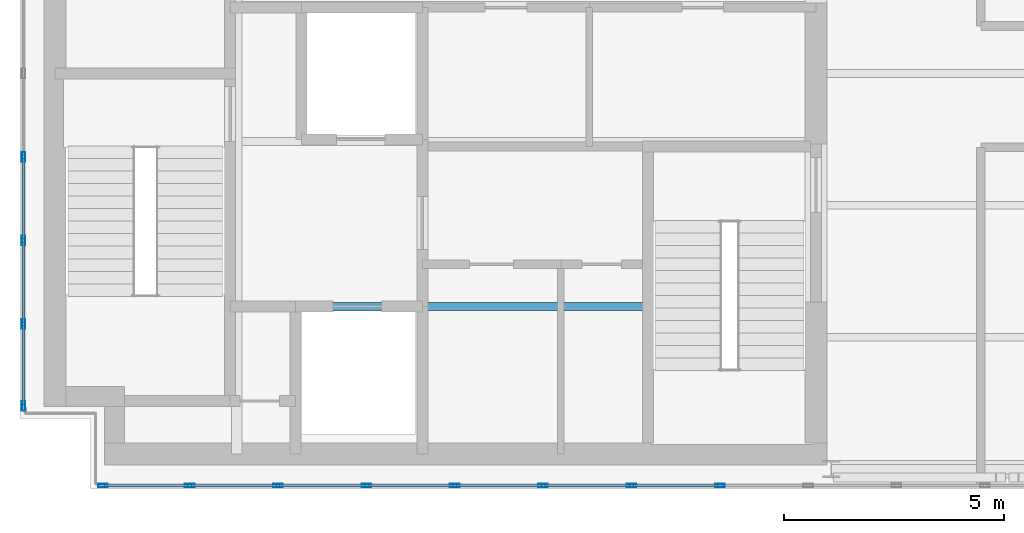
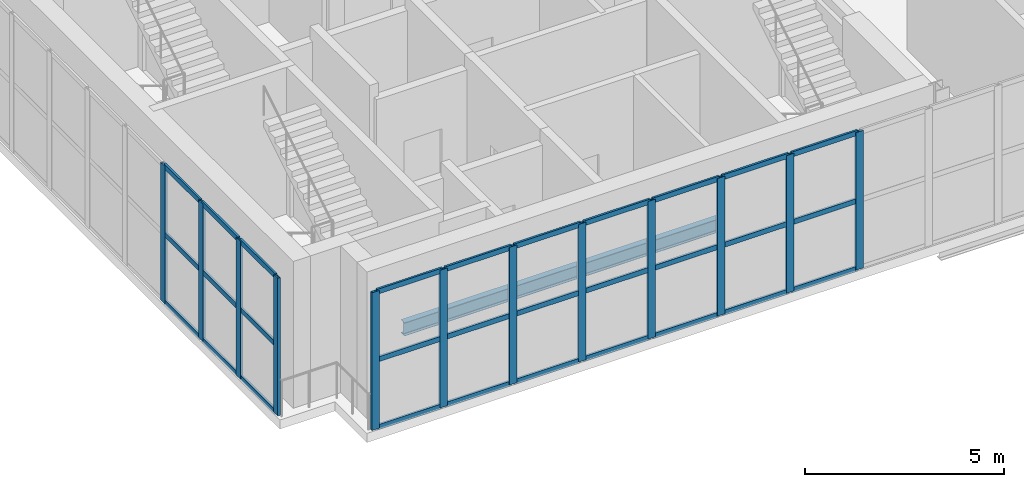
# One storey, part 2 of 21: 42 members, 1 beam, 2 elements without a shape of their own.
"""IFC4 building model written with IfcOpenShell, lengths in metres."""

from ifc_helpers import new_model, si_unit, direction, frame, origin, origin_2d, place, context, subcontext, project, spatial, hollow_rectangle, i_section, extrude, material, layer, layer_set, material_profile, profile_set, type_object, element, aggregate, save


model = new_model("IFC4")

# Units and contexts
model_context = context("Model", 3, precision=1e-05, world=origin(), true_north=direction((0.0, 1.0)))
body_context = subcontext(model_context, "Body", "Model", "MODEL_VIEW")
ifc_project = project(units=[si_unit("LENGTHUNIT", "METRE"), si_unit("AREAUNIT", "SQUARE_METRE"), si_unit("VOLUMEUNIT", "CUBIC_METRE"), si_unit("PLANEANGLEUNIT", "RADIAN"), si_unit("MASSUNIT", "GRAM", prefix="KILO")], contexts=[model_context])

# Site, building, storey
site_placement = place(None, origin())
site = spatial("IfcSite", under=ifc_project, at=site_placement, CompositionType="ELEMENT")
building_placement = place(site_placement, origin())
building = spatial("IfcBuilding", under=site, at=building_placement, Name="Mawjdan Bourse Tower", CompositionType="ELEMENT")
storey_placement = place(building_placement, frame((0.0, 0.0, 313.199951171875)))
storey = spatial("IfcBuildingStorey", under=building, at=storey_placement, Name="L77", CompositionType="ELEMENT", Elevation=313.199951171875)

# Beam
ifc_material_1 = material(Name="Structural Steel S355", Category="steel")
ifc_material_profile_1 = material_profile(ifc_material_1, i_section(OverallWidth=0.177978515625, OverallDepth=0.406982421875, WebThickness=0.0078125, FlangeThickness=0.0126953125, FilletRadius=0.01025390625, at=origin_2d()), Name="W16X40")
ifc_profile_set_1 = profile_set([ifc_material_profile_1], Name="Structural Steel S355")
beam_type = type_object("IfcBeamType", Name="JST-W16X40", PredefinedType="JOIST", material=ifc_profile_set_1)
beam_placement = place(storey_placement, frame((10.593017578125, 6.699951171875, -0.4833984375), z_axis=(1.0, 0.0, 0.0), x_axis=(0.0, 1.0, 0.0)))
element("IfcBeam", 1, at=beam_placement, inside=storey, type_object=beam_type, Name="L77 Core Floor Joist 026", PredefinedType="JOIST", context=body_context, shape_type="SweptSolid", body=[
    extrude(i_section(OverallWidth=0.177978515625, OverallDepth=0.406982421875, WebThickness=0.0078125, FlangeThickness=0.0126953125, FilletRadius=0.01025390625, at=origin_2d()), origin(), (0.0, 0.0, 1.0), 9.237060546875),
])

# Curtain wall, members
ifc_material_2 = material(Name="Thermally Broken Aluminium and Solar Glass", Category="aluminium")
ifc_layer = layer(ifc_material_2, 0.219970703125)
ifc_layer_set = layer_set([ifc_layer], Name="Thermally Broken Aluminium and Solar Glass")
curtain_wall_type = type_object("IfcCurtainWallType", Name="CW-CRN", PredefinedType="USERDEFINED", material=ifc_layer_set)
curtain_wall_1_placement = place(storey_placement, origin())
curtain_wall_1 = element("IfcCurtainWall", 2, at=curtain_wall_1_placement, inside=storey, type_object=curtain_wall_type, Name="L77 Lantern Crown South Curtain Wall", ObjectType="LANTERN GLAZED CROWN", PredefinedType="USERDEFINED")
ifc_material_3 = material(Name="Thermally Broken Anodised Aluminium", Category="aluminium")
ifc_material_profile_2 = material_profile(ifc_material_3, hollow_rectangle(XDim=0.074951171875, YDim=0.219970703125, WallThickness=0.0048828125, at=origin_2d()), Name="ALU-MUL-220X75")
ifc_profile_set_2 = profile_set([ifc_material_profile_2], Name="Thermally Broken Anodised Aluminium")
member_type_1 = type_object("IfcMemberType", Name="MUL-ALU-MUL-220X75", PredefinedType="MULLION", material=ifc_profile_set_2)
member_1_placement = place(storey_placement, frame((7.4375, 2.6298828125, 0.0), z_axis=(0.0, 0.0, 1.0), x_axis=(0.0, 1.0, 0.0)))
member_1 = element("IfcMember", 3, at=member_1_placement, type_object=member_type_1, Name="CW-CRN-L77-CRN-S mullion 1", PredefinedType="MULLION", context=body_context, shape_type="SweptSolid", body=[
    extrude(hollow_rectangle(XDim=0.074951171875, YDim=0.219970703125, WallThickness=0.0048828125, at=origin_2d()), origin(), (0.0, 0.0, 1.0), 4.219970703125),
])
member_2_placement = place(storey_placement, frame((9.409423828125, 2.6298828125, 0.0), z_axis=(0.0, 0.0, 1.0), x_axis=(0.0, 1.0, 0.0)))
member_2 = element("IfcMember", 4, at=member_2_placement, type_object=member_type_1, Name="CW-CRN-L77-CRN-S mullion 2", PredefinedType="MULLION", context=body_context, shape_type="SweptSolid", body=[
    extrude(hollow_rectangle(XDim=0.074951171875, YDim=0.219970703125, WallThickness=0.0048828125, at=origin_2d()), origin(), (0.0, 0.0, 1.0), 4.219970703125),
])
member_3_placement = place(storey_placement, frame((11.4189453125, 2.6298828125, 0.0), z_axis=(0.0, 0.0, 1.0), x_axis=(0.0, 1.0, 0.0)))
member_3 = element("IfcMember", 5, at=member_3_placement, type_object=member_type_1, Name="CW-CRN-L77-CRN-S mullion 3", PredefinedType="MULLION", context=body_context, shape_type="SweptSolid", body=[
    extrude(hollow_rectangle(XDim=0.074951171875, YDim=0.219970703125, WallThickness=0.0048828125, at=origin_2d()), origin(), (0.0, 0.0, 1.0), 4.219970703125),
])
member_4_placement = place(storey_placement, frame((13.428466796875, 2.6298828125, 0.0), z_axis=(0.0, 0.0, 1.0), x_axis=(0.0, 1.0, 0.0)))
member_4 = element("IfcMember", 6, at=member_4_placement, type_object=member_type_1, Name="CW-CRN-L77-CRN-S mullion 4", PredefinedType="MULLION", context=body_context, shape_type="SweptSolid", body=[
    extrude(hollow_rectangle(XDim=0.074951171875, YDim=0.219970703125, WallThickness=0.0048828125, at=origin_2d()), origin(), (0.0, 0.0, 1.0), 4.219970703125),
])
member_5_placement = place(storey_placement, frame((15.43798828125, 2.6298828125, 0.0), z_axis=(0.0, 0.0, 1.0), x_axis=(0.0, 1.0, 0.0)))
member_5 = element("IfcMember", 7, at=member_5_placement, type_object=member_type_1, Name="CW-CRN-L77-CRN-S mullion 5", PredefinedType="MULLION", context=body_context, shape_type="SweptSolid", body=[
    extrude(hollow_rectangle(XDim=0.074951171875, YDim=0.219970703125, WallThickness=0.0048828125, at=origin_2d()), origin(), (0.0, 0.0, 1.0), 4.219970703125),
])
member_6_placement = place(storey_placement, frame((17.447509765625, 2.6298828125, 0.0), z_axis=(0.0, 0.0, 1.0), x_axis=(0.0, 1.0, 0.0)))
member_6 = element("IfcMember", 8, at=member_6_placement, type_object=member_type_1, Name="CW-CRN-L77-CRN-S mullion 6", PredefinedType="MULLION", context=body_context, shape_type="SweptSolid", body=[
    extrude(hollow_rectangle(XDim=0.074951171875, YDim=0.219970703125, WallThickness=0.0048828125, at=origin_2d()), origin(), (0.0, 0.0, 1.0), 4.219970703125),
])
member_7_placement = place(storey_placement, frame((19.45703125, 2.6298828125, 0.0), z_axis=(0.0, 0.0, 1.0), x_axis=(0.0, 1.0, 0.0)))
member_7 = element("IfcMember", 9, at=member_7_placement, type_object=member_type_1, Name="CW-CRN-L77-CRN-S mullion 7", PredefinedType="MULLION", context=body_context, shape_type="SweptSolid", body=[
    extrude(hollow_rectangle(XDim=0.074951171875, YDim=0.219970703125, WallThickness=0.0048828125, at=origin_2d()), origin(), (0.0, 0.0, 1.0), 4.219970703125),
])
member_8_placement = place(storey_placement, frame((21.466552734375, 2.6298828125, 0.0), z_axis=(0.0, 0.0, 1.0), x_axis=(0.0, 1.0, 0.0)))
member_8 = element("IfcMember", 10, at=member_8_placement, type_object=member_type_1, Name="CW-CRN-L77-CRN-S mullion 8", PredefinedType="MULLION", context=body_context, shape_type="SweptSolid", body=[
    extrude(hollow_rectangle(XDim=0.074951171875, YDim=0.219970703125, WallThickness=0.0048828125, at=origin_2d()), origin(), (0.0, 0.0, 1.0), 4.219970703125),
])

curtain_wall_2_placement = place(storey_placement, origin())
curtain_wall_2 = element("IfcCurtainWall", 11, at=curtain_wall_2_placement, inside=storey, type_object=curtain_wall_type, Name="L77 Lantern Crown West Curtain Wall", ObjectType="LANTERN GLAZED CROWN", PredefinedType="USERDEFINED")
member_9_placement = place(storey_placement, frame((5.6298828125, 10.10009765625, 0.0), z_axis=(0.0, 0.0, 1.0), x_axis=(1.0, 0.0, 0.0)))
member_9 = element("IfcMember", 12, at=member_9_placement, type_object=member_type_1, Name="CW-CRN-L77-CRN-W mullion 6", PredefinedType="MULLION", context=body_context, shape_type="SweptSolid", body=[
    extrude(hollow_rectangle(XDim=0.074951171875, YDim=0.219970703125, WallThickness=0.0048828125, at=origin_2d()), origin(), (0.0, 0.0, 1.0), 4.219970703125),
])
member_10_placement = place(storey_placement, frame((5.6298828125, 8.199951171875, 0.0), z_axis=(0.0, 0.0, 1.0), x_axis=(1.0, 0.0, 0.0)))
member_10 = element("IfcMember", 13, at=member_10_placement, type_object=member_type_1, Name="CW-CRN-L77-CRN-W mullion 7", PredefinedType="MULLION", context=body_context, shape_type="SweptSolid", body=[
    extrude(hollow_rectangle(XDim=0.074951171875, YDim=0.219970703125, WallThickness=0.0048828125, at=origin_2d()), origin(), (0.0, 0.0, 1.0), 4.219970703125),
])
member_11_placement = place(storey_placement, frame((5.6298828125, 6.300048828125, 0.0), z_axis=(0.0, 0.0, 1.0), x_axis=(1.0, 0.0, 0.0)))
member_11 = element("IfcMember", 14, at=member_11_placement, type_object=member_type_1, Name="CW-CRN-L77-CRN-W mullion 8", PredefinedType="MULLION", context=body_context, shape_type="SweptSolid", body=[
    extrude(hollow_rectangle(XDim=0.074951171875, YDim=0.219970703125, WallThickness=0.0048828125, at=origin_2d()), origin(), (0.0, 0.0, 1.0), 4.219970703125),
])
member_12_placement = place(storey_placement, frame((5.6298828125, 4.4375, 0.0), z_axis=(0.0, 0.0, 1.0), x_axis=(1.0, 0.0, 0.0)))
member_12 = element("IfcMember", 15, at=member_12_placement, type_object=member_type_1, Name="CW-CRN-L77-CRN-W mullion 9", PredefinedType="MULLION", context=body_context, shape_type="SweptSolid", body=[
    extrude(hollow_rectangle(XDim=0.074951171875, YDim=0.219970703125, WallThickness=0.0048828125, at=origin_2d()), origin(), (0.0, 0.0, 1.0), 4.219970703125),
])

# Member
ifc_material_profile_3 = material_profile(ifc_material_3, hollow_rectangle(XDim=0.06005859375, YDim=0.155029296875, WallThickness=0.00390625, at=origin_2d()), Name="ALU-TRN-155X60")
ifc_profile_set_3 = profile_set([ifc_material_profile_3], Name="Thermally Broken Anodised Aluminium")
member_type_2 = type_object("IfcMemberType", Name="TRN-ALU-TRN-155X60", PredefinedType="USERDEFINED", material=ifc_profile_set_3)
member_13_placement = place(storey_placement, frame((7.47509765625, 2.6298828125, 0.030029296875), z_axis=(1.0, 0.0, 0.0), x_axis=(0.0, 1.0, 0.0)))
member_13 = element("IfcMember", 16, at=member_13_placement, type_object=member_type_2, Name="CW-CRN-L77-CRN-S transom 1.1", ObjectType="TRANSOM", PredefinedType="USERDEFINED", context=body_context, shape_type="SweptSolid", body=[
    extrude(hollow_rectangle(XDim=0.06005859375, YDim=0.155029296875, WallThickness=0.00390625, at=origin_2d()), origin(), (0.0, 0.0, 1.0), 1.89697265625),
])

member_14_placement = place(storey_placement, frame((7.47509765625, 2.6298828125, 2.110107421875), z_axis=(1.0, 0.0, 0.0), x_axis=(0.0, 1.0, 0.0)))
member_14 = element("IfcMember", 17, at=member_14_placement, type_object=member_type_2, Name="CW-CRN-L77-CRN-S transom 1.2", ObjectType="TRANSOM", PredefinedType="USERDEFINED", context=body_context, shape_type="SweptSolid", body=[
    extrude(hollow_rectangle(XDim=0.06005859375, YDim=0.155029296875, WallThickness=0.00390625, at=origin_2d()), origin(), (0.0, 0.0, 1.0), 1.89697265625),
])

member_15_placement = place(storey_placement, frame((7.47509765625, 2.6298828125, 4.18994140625), z_axis=(1.0, 0.0, 0.0), x_axis=(0.0, 1.0, 0.0)))
member_15 = element("IfcMember", 18, at=member_15_placement, type_object=member_type_2, Name="CW-CRN-L77-CRN-S transom 1.3", ObjectType="TRANSOM", PredefinedType="USERDEFINED", context=body_context, shape_type="SweptSolid", body=[
    extrude(hollow_rectangle(XDim=0.06005859375, YDim=0.155029296875, WallThickness=0.00390625, at=origin_2d()), origin(), (0.0, 0.0, 1.0), 1.89697265625),
])

member_16_placement = place(storey_placement, frame((9.447021484375, 2.6298828125, 0.030029296875), z_axis=(1.0, 0.0, 0.0), x_axis=(0.0, 1.0, 0.0)))
member_16 = element("IfcMember", 19, at=member_16_placement, type_object=member_type_2, Name="CW-CRN-L77-CRN-S transom 2.1", ObjectType="TRANSOM", PredefinedType="USERDEFINED", context=body_context, shape_type="SweptSolid", body=[
    extrude(hollow_rectangle(XDim=0.06005859375, YDim=0.155029296875, WallThickness=0.00390625, at=origin_2d()), origin(), (0.0, 0.0, 1.0), 1.9345703125),
])

member_17_placement = place(storey_placement, frame((9.447021484375, 2.6298828125, 2.110107421875), z_axis=(1.0, 0.0, 0.0), x_axis=(0.0, 1.0, 0.0)))
member_17 = element("IfcMember", 20, at=member_17_placement, type_object=member_type_2, Name="CW-CRN-L77-CRN-S transom 2.2", ObjectType="TRANSOM", PredefinedType="USERDEFINED", context=body_context, shape_type="SweptSolid", body=[
    extrude(hollow_rectangle(XDim=0.06005859375, YDim=0.155029296875, WallThickness=0.00390625, at=origin_2d()), origin(), (0.0, 0.0, 1.0), 1.9345703125),
])

member_18_placement = place(storey_placement, frame((9.447021484375, 2.6298828125, 4.18994140625), z_axis=(1.0, 0.0, 0.0), x_axis=(0.0, 1.0, 0.0)))
member_18 = element("IfcMember", 21, at=member_18_placement, type_object=member_type_2, Name="CW-CRN-L77-CRN-S transom 2.3", ObjectType="TRANSOM", PredefinedType="USERDEFINED", context=body_context, shape_type="SweptSolid", body=[
    extrude(hollow_rectangle(XDim=0.06005859375, YDim=0.155029296875, WallThickness=0.00390625, at=origin_2d()), origin(), (0.0, 0.0, 1.0), 1.9345703125),
])

member_19_placement = place(storey_placement, frame((11.45654296875, 2.6298828125, 0.030029296875), z_axis=(1.0, 0.0, 0.0), x_axis=(0.0, 1.0, 0.0)))
member_19 = element("IfcMember", 22, at=member_19_placement, type_object=member_type_2, Name="CW-CRN-L77-CRN-S transom 3.1", ObjectType="TRANSOM", PredefinedType="USERDEFINED", context=body_context, shape_type="SweptSolid", body=[
    extrude(hollow_rectangle(XDim=0.06005859375, YDim=0.155029296875, WallThickness=0.00390625, at=origin_2d()), origin(), (0.0, 0.0, 1.0), 1.9345703125),
])

member_20_placement = place(storey_placement, frame((11.45654296875, 2.6298828125, 2.110107421875), z_axis=(1.0, 0.0, 0.0), x_axis=(0.0, 1.0, 0.0)))
member_20 = element("IfcMember", 23, at=member_20_placement, type_object=member_type_2, Name="CW-CRN-L77-CRN-S transom 3.2", ObjectType="TRANSOM", PredefinedType="USERDEFINED", context=body_context, shape_type="SweptSolid", body=[
    extrude(hollow_rectangle(XDim=0.06005859375, YDim=0.155029296875, WallThickness=0.00390625, at=origin_2d()), origin(), (0.0, 0.0, 1.0), 1.9345703125),
])

member_21_placement = place(storey_placement, frame((11.45654296875, 2.6298828125, 4.18994140625), z_axis=(1.0, 0.0, 0.0), x_axis=(0.0, 1.0, 0.0)))
member_21 = element("IfcMember", 24, at=member_21_placement, type_object=member_type_2, Name="CW-CRN-L77-CRN-S transom 3.3", ObjectType="TRANSOM", PredefinedType="USERDEFINED", context=body_context, shape_type="SweptSolid", body=[
    extrude(hollow_rectangle(XDim=0.06005859375, YDim=0.155029296875, WallThickness=0.00390625, at=origin_2d()), origin(), (0.0, 0.0, 1.0), 1.9345703125),
])

member_22_placement = place(storey_placement, frame((13.466064453125, 2.6298828125, 0.030029296875), z_axis=(1.0, 0.0, 0.0), x_axis=(0.0, 1.0, 0.0)))
member_22 = element("IfcMember", 25, at=member_22_placement, type_object=member_type_2, Name="CW-CRN-L77-CRN-S transom 4.1", ObjectType="TRANSOM", PredefinedType="USERDEFINED", context=body_context, shape_type="SweptSolid", body=[
    extrude(hollow_rectangle(XDim=0.06005859375, YDim=0.155029296875, WallThickness=0.00390625, at=origin_2d()), origin(), (0.0, 0.0, 1.0), 1.9345703125),
])

member_23_placement = place(storey_placement, frame((13.466064453125, 2.6298828125, 2.110107421875), z_axis=(1.0, 0.0, 0.0), x_axis=(0.0, 1.0, 0.0)))
member_23 = element("IfcMember", 26, at=member_23_placement, type_object=member_type_2, Name="CW-CRN-L77-CRN-S transom 4.2", ObjectType="TRANSOM", PredefinedType="USERDEFINED", context=body_context, shape_type="SweptSolid", body=[
    extrude(hollow_rectangle(XDim=0.06005859375, YDim=0.155029296875, WallThickness=0.00390625, at=origin_2d()), origin(), (0.0, 0.0, 1.0), 1.9345703125),
])

member_24_placement = place(storey_placement, frame((13.466064453125, 2.6298828125, 4.18994140625), z_axis=(1.0, 0.0, 0.0), x_axis=(0.0, 1.0, 0.0)))
member_24 = element("IfcMember", 27, at=member_24_placement, type_object=member_type_2, Name="CW-CRN-L77-CRN-S transom 4.3", ObjectType="TRANSOM", PredefinedType="USERDEFINED", context=body_context, shape_type="SweptSolid", body=[
    extrude(hollow_rectangle(XDim=0.06005859375, YDim=0.155029296875, WallThickness=0.00390625, at=origin_2d()), origin(), (0.0, 0.0, 1.0), 1.9345703125),
])

member_25_placement = place(storey_placement, frame((15.4755859375, 2.6298828125, 0.030029296875), z_axis=(1.0, 0.0, 0.0), x_axis=(0.0, 1.0, 0.0)))
member_25 = element("IfcMember", 28, at=member_25_placement, type_object=member_type_2, Name="CW-CRN-L77-CRN-S transom 5.1", ObjectType="TRANSOM", PredefinedType="USERDEFINED", context=body_context, shape_type="SweptSolid", body=[
    extrude(hollow_rectangle(XDim=0.06005859375, YDim=0.155029296875, WallThickness=0.00390625, at=origin_2d()), origin(), (0.0, 0.0, 1.0), 1.9345703125),
])

member_26_placement = place(storey_placement, frame((15.4755859375, 2.6298828125, 2.110107421875), z_axis=(1.0, 0.0, 0.0), x_axis=(0.0, 1.0, 0.0)))
member_26 = element("IfcMember", 29, at=member_26_placement, type_object=member_type_2, Name="CW-CRN-L77-CRN-S transom 5.2", ObjectType="TRANSOM", PredefinedType="USERDEFINED", context=body_context, shape_type="SweptSolid", body=[
    extrude(hollow_rectangle(XDim=0.06005859375, YDim=0.155029296875, WallThickness=0.00390625, at=origin_2d()), origin(), (0.0, 0.0, 1.0), 1.9345703125),
])

member_27_placement = place(storey_placement, frame((15.4755859375, 2.6298828125, 4.18994140625), z_axis=(1.0, 0.0, 0.0), x_axis=(0.0, 1.0, 0.0)))
member_27 = element("IfcMember", 30, at=member_27_placement, type_object=member_type_2, Name="CW-CRN-L77-CRN-S transom 5.3", ObjectType="TRANSOM", PredefinedType="USERDEFINED", context=body_context, shape_type="SweptSolid", body=[
    extrude(hollow_rectangle(XDim=0.06005859375, YDim=0.155029296875, WallThickness=0.00390625, at=origin_2d()), origin(), (0.0, 0.0, 1.0), 1.9345703125),
])

member_28_placement = place(storey_placement, frame((17.485107421875, 2.6298828125, 0.030029296875), z_axis=(1.0, 0.0, 0.0), x_axis=(0.0, 1.0, 0.0)))
member_28 = element("IfcMember", 31, at=member_28_placement, type_object=member_type_2, Name="CW-CRN-L77-CRN-S transom 6.1", ObjectType="TRANSOM", PredefinedType="USERDEFINED", context=body_context, shape_type="SweptSolid", body=[
    extrude(hollow_rectangle(XDim=0.06005859375, YDim=0.155029296875, WallThickness=0.00390625, at=origin_2d()), origin(), (0.0, 0.0, 1.0), 1.9345703125),
])

member_29_placement = place(storey_placement, frame((17.485107421875, 2.6298828125, 2.110107421875), z_axis=(1.0, 0.0, 0.0), x_axis=(0.0, 1.0, 0.0)))
member_29 = element("IfcMember", 32, at=member_29_placement, type_object=member_type_2, Name="CW-CRN-L77-CRN-S transom 6.2", ObjectType="TRANSOM", PredefinedType="USERDEFINED", context=body_context, shape_type="SweptSolid", body=[
    extrude(hollow_rectangle(XDim=0.06005859375, YDim=0.155029296875, WallThickness=0.00390625, at=origin_2d()), origin(), (0.0, 0.0, 1.0), 1.9345703125),
])

member_30_placement = place(storey_placement, frame((17.485107421875, 2.6298828125, 4.18994140625), z_axis=(1.0, 0.0, 0.0), x_axis=(0.0, 1.0, 0.0)))
member_30 = element("IfcMember", 33, at=member_30_placement, type_object=member_type_2, Name="CW-CRN-L77-CRN-S transom 6.3", ObjectType="TRANSOM", PredefinedType="USERDEFINED", context=body_context, shape_type="SweptSolid", body=[
    extrude(hollow_rectangle(XDim=0.06005859375, YDim=0.155029296875, WallThickness=0.00390625, at=origin_2d()), origin(), (0.0, 0.0, 1.0), 1.9345703125),
])

member_31_placement = place(storey_placement, frame((19.49462890625, 2.6298828125, 0.030029296875), z_axis=(1.0, 0.0, 0.0), x_axis=(0.0, 1.0, 0.0)))
member_31 = element("IfcMember", 34, at=member_31_placement, type_object=member_type_2, Name="CW-CRN-L77-CRN-S transom 7.1", ObjectType="TRANSOM", PredefinedType="USERDEFINED", context=body_context, shape_type="SweptSolid", body=[
    extrude(hollow_rectangle(XDim=0.06005859375, YDim=0.155029296875, WallThickness=0.00390625, at=origin_2d()), origin(), (0.0, 0.0, 1.0), 1.9345703125),
])

member_32_placement = place(storey_placement, frame((19.49462890625, 2.6298828125, 2.110107421875), z_axis=(1.0, 0.0, 0.0), x_axis=(0.0, 1.0, 0.0)))
member_32 = element("IfcMember", 35, at=member_32_placement, type_object=member_type_2, Name="CW-CRN-L77-CRN-S transom 7.2", ObjectType="TRANSOM", PredefinedType="USERDEFINED", context=body_context, shape_type="SweptSolid", body=[
    extrude(hollow_rectangle(XDim=0.06005859375, YDim=0.155029296875, WallThickness=0.00390625, at=origin_2d()), origin(), (0.0, 0.0, 1.0), 1.9345703125),
])

member_33_placement = place(storey_placement, frame((19.49462890625, 2.6298828125, 4.18994140625), z_axis=(1.0, 0.0, 0.0), x_axis=(0.0, 1.0, 0.0)))
member_33 = element("IfcMember", 36, at=member_33_placement, type_object=member_type_2, Name="CW-CRN-L77-CRN-S transom 7.3", ObjectType="TRANSOM", PredefinedType="USERDEFINED", context=body_context, shape_type="SweptSolid", body=[
    extrude(hollow_rectangle(XDim=0.06005859375, YDim=0.155029296875, WallThickness=0.00390625, at=origin_2d()), origin(), (0.0, 0.0, 1.0), 1.9345703125),
])

aggregate(curtain_wall_1, [member_1, member_2, member_3, member_4, member_5, member_6, member_7, member_8, member_13, member_14, member_15, member_16, member_17, member_18, member_19, member_20, member_21, member_22, member_23, member_24, member_25, member_26, member_27, member_28, member_29, member_30, member_31, member_32, member_33])

member_34_placement = place(storey_placement, frame((5.6298828125, 10.0625, 0.030029296875), z_axis=(0.0, -1.0, 0.0), x_axis=(1.0, 0.0, 0.0)))
member_34 = element("IfcMember", 37, at=member_34_placement, type_object=member_type_2, Name="CW-CRN-L77-CRN-W transom 6.1", ObjectType="TRANSOM", PredefinedType="USERDEFINED", context=body_context, shape_type="SweptSolid", body=[
    extrude(hollow_rectangle(XDim=0.06005859375, YDim=0.155029296875, WallThickness=0.00390625, at=origin_2d()), origin(), (0.0, 0.0, 1.0), 1.824951171875),
])

member_35_placement = place(storey_placement, frame((5.6298828125, 10.0625, 2.110107421875), z_axis=(0.0, -1.0, 0.0), x_axis=(1.0, 0.0, 0.0)))
member_35 = element("IfcMember", 38, at=member_35_placement, type_object=member_type_2, Name="CW-CRN-L77-CRN-W transom 6.2", ObjectType="TRANSOM", PredefinedType="USERDEFINED", context=body_context, shape_type="SweptSolid", body=[
    extrude(hollow_rectangle(XDim=0.06005859375, YDim=0.155029296875, WallThickness=0.00390625, at=origin_2d()), origin(), (0.0, 0.0, 1.0), 1.824951171875),
])

member_36_placement = place(storey_placement, frame((5.6298828125, 10.0625, 4.18994140625), z_axis=(0.0, -1.0, 0.0), x_axis=(1.0, 0.0, 0.0)))
member_36 = element("IfcMember", 39, at=member_36_placement, type_object=member_type_2, Name="CW-CRN-L77-CRN-W transom 6.3", ObjectType="TRANSOM", PredefinedType="USERDEFINED", context=body_context, shape_type="SweptSolid", body=[
    extrude(hollow_rectangle(XDim=0.06005859375, YDim=0.155029296875, WallThickness=0.00390625, at=origin_2d()), origin(), (0.0, 0.0, 1.0), 1.824951171875),
])

member_37_placement = place(storey_placement, frame((5.6298828125, 8.16259765625, 0.030029296875), z_axis=(0.0, -1.0, 0.0), x_axis=(1.0, 0.0, 0.0)))
member_37 = element("IfcMember", 40, at=member_37_placement, type_object=member_type_2, Name="CW-CRN-L77-CRN-W transom 7.1", ObjectType="TRANSOM", PredefinedType="USERDEFINED", context=body_context, shape_type="SweptSolid", body=[
    extrude(hollow_rectangle(XDim=0.06005859375, YDim=0.155029296875, WallThickness=0.00390625, at=origin_2d()), origin(), (0.0, 0.0, 1.0), 1.8251953125),
])

member_38_placement = place(storey_placement, frame((5.6298828125, 8.16259765625, 2.110107421875), z_axis=(0.0, -1.0, 0.0), x_axis=(1.0, 0.0, 0.0)))
member_38 = element("IfcMember", 41, at=member_38_placement, type_object=member_type_2, Name="CW-CRN-L77-CRN-W transom 7.2", ObjectType="TRANSOM", PredefinedType="USERDEFINED", context=body_context, shape_type="SweptSolid", body=[
    extrude(hollow_rectangle(XDim=0.06005859375, YDim=0.155029296875, WallThickness=0.00390625, at=origin_2d()), origin(), (0.0, 0.0, 1.0), 1.8251953125),
])

member_39_placement = place(storey_placement, frame((5.6298828125, 8.16259765625, 4.18994140625), z_axis=(0.0, -1.0, 0.0), x_axis=(1.0, 0.0, 0.0)))
member_39 = element("IfcMember", 42, at=member_39_placement, type_object=member_type_2, Name="CW-CRN-L77-CRN-W transom 7.3", ObjectType="TRANSOM", PredefinedType="USERDEFINED", context=body_context, shape_type="SweptSolid", body=[
    extrude(hollow_rectangle(XDim=0.06005859375, YDim=0.155029296875, WallThickness=0.00390625, at=origin_2d()), origin(), (0.0, 0.0, 1.0), 1.8251953125),
])

member_40_placement = place(storey_placement, frame((5.6298828125, 6.262451171875, 0.030029296875), z_axis=(0.0, -1.0, 0.0), x_axis=(1.0, 0.0, 0.0)))
member_40 = element("IfcMember", 43, at=member_40_placement, type_object=member_type_2, Name="CW-CRN-L77-CRN-W transom 8.1", ObjectType="TRANSOM", PredefinedType="USERDEFINED", context=body_context, shape_type="SweptSolid", body=[
    extrude(hollow_rectangle(XDim=0.06005859375, YDim=0.155029296875, WallThickness=0.00390625, at=origin_2d()), origin(), (0.0, 0.0, 1.0), 1.787353515625),
])

member_41_placement = place(storey_placement, frame((5.6298828125, 6.262451171875, 2.110107421875), z_axis=(0.0, -1.0, 0.0), x_axis=(1.0, 0.0, 0.0)))
member_41 = element("IfcMember", 44, at=member_41_placement, type_object=member_type_2, Name="CW-CRN-L77-CRN-W transom 8.2", ObjectType="TRANSOM", PredefinedType="USERDEFINED", context=body_context, shape_type="SweptSolid", body=[
    extrude(hollow_rectangle(XDim=0.06005859375, YDim=0.155029296875, WallThickness=0.00390625, at=origin_2d()), origin(), (0.0, 0.0, 1.0), 1.787353515625),
])

member_42_placement = place(storey_placement, frame((5.6298828125, 6.262451171875, 4.18994140625), z_axis=(0.0, -1.0, 0.0), x_axis=(1.0, 0.0, 0.0)))
member_42 = element("IfcMember", 45, at=member_42_placement, type_object=member_type_2, Name="CW-CRN-L77-CRN-W transom 8.3", ObjectType="TRANSOM", PredefinedType="USERDEFINED", context=body_context, shape_type="SweptSolid", body=[
    extrude(hollow_rectangle(XDim=0.06005859375, YDim=0.155029296875, WallThickness=0.00390625, at=origin_2d()), origin(), (0.0, 0.0, 1.0), 1.787353515625),
])

aggregate(curtain_wall_2, [member_9, member_10, member_11, member_12, member_34, member_35, member_36, member_37, member_38, member_39, member_40, member_41, member_42])

save(model, "model.ifc")
